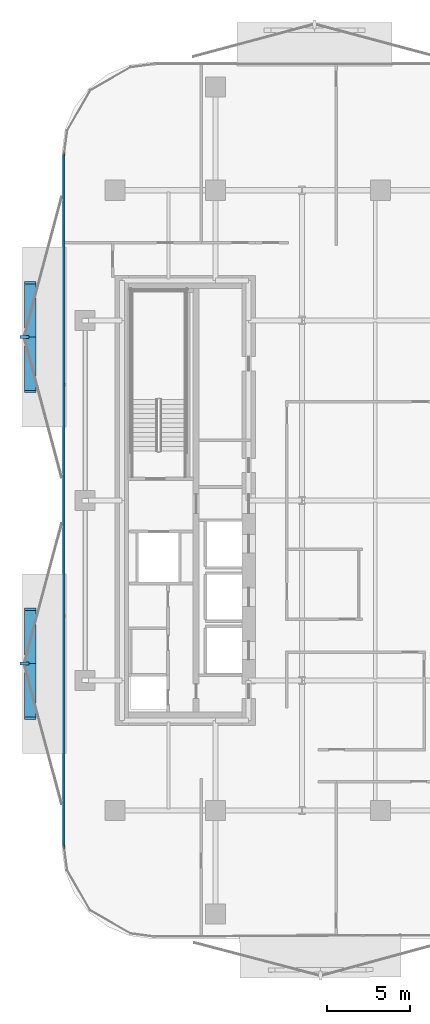
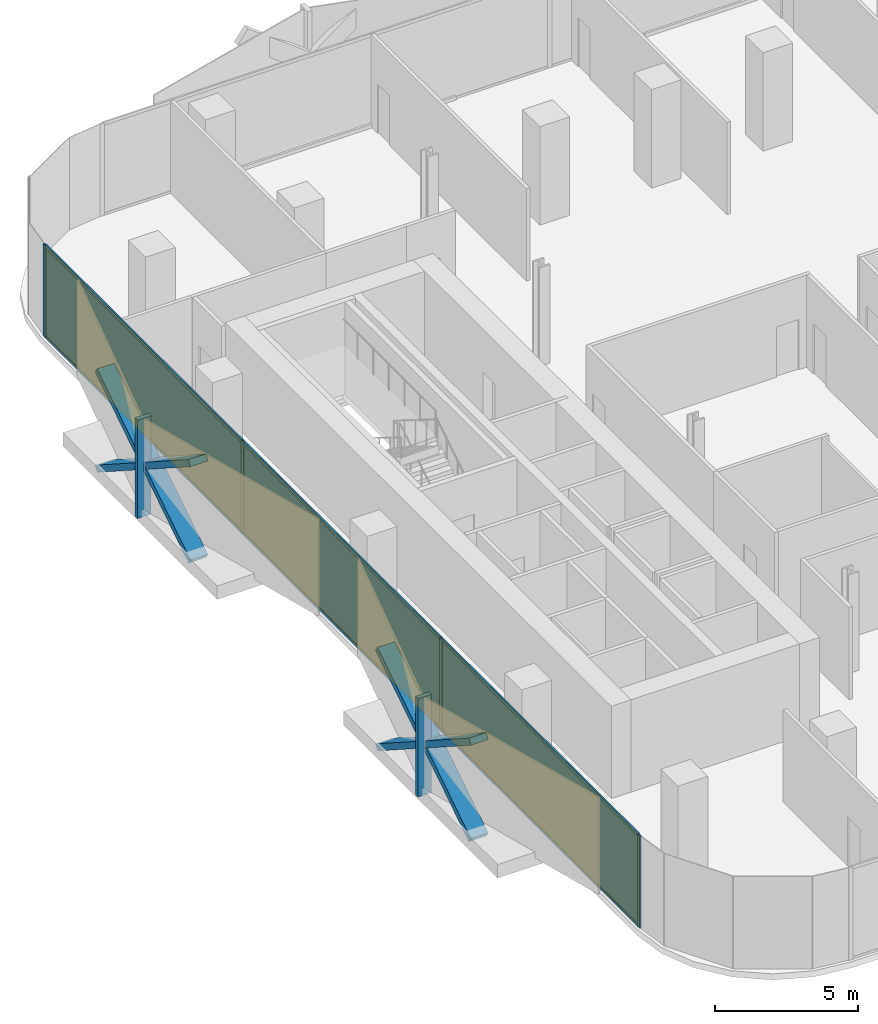
# One storey, part 8 of 15: 16 members, 3 plates, 1 curtain wall.
"""IFC4 building model written with IfcOpenShell, lengths in metres."""

from ifc_helpers import new_model, si_unit, direction, frame, frame_2d, origin, origin_2d, place, context, subcontext, project, spatial, rectangle, extrude, material, layer, layer_set, material_profile, profile_set, type_object, element, aggregate, save


model = new_model("IFC4")

# Units and contexts
model_context = context("Model", 3, precision=1e-05, world=origin(), true_north=direction((0.0, 1.0)))
body_context = subcontext(model_context, "Body", "Model", "MODEL_VIEW")
ifc_project = project(units=[si_unit("LENGTHUNIT", "METRE"), si_unit("AREAUNIT", "SQUARE_METRE"), si_unit("VOLUMEUNIT", "CUBIC_METRE"), si_unit("PLANEANGLEUNIT", "RADIAN"), si_unit("MASSUNIT", "GRAM", prefix="KILO")], contexts=[model_context])

# Member
ifc_material_1 = material(Name="Anodised Bronze Aluminium 6063-T6", Category="aluminium")
ifc_material_profile_1 = material_profile(ifc_material_1, rectangle(XDim=0.260009765625, YDim=0.699951171875, at=origin_2d()))
ifc_profile_set_1 = profile_set([ifc_material_profile_1], Name="Anodised Bronze Aluminium 6063-T6")
member_type_1 = type_object("IfcMemberType", Name="Bronze Diamond Solar-Screen Lattice Rib BDL-700", PredefinedType="MULLION", material=ifc_profile_set_1)
site_placement = place(None, origin())
building_placement = place(site_placement, origin())
storey_placement = place(building_placement, frame((0.0, 0.0, 135.199951171875)))
member_1_placement = place(storey_placement, frame((-25.5, -13.060546875, -0.1298828125), z_axis=(0.0, 0.841066075866, 0.540932395062), x_axis=(0.0, -0.540932395062, 0.841066075866)))
member_1 = element("IfcMember", 1, at=member_1_placement, type_object=member_type_1, Name="L31 Bronze Diamond Solar Screen Lattice Rib 195A", PredefinedType="MULLION", context=body_context, shape_type="SweptSolid", body=[
    extrude(rectangle(XDim=0.260009765625, YDim=0.699951171875, at=origin_2d()), origin(), (0.0, 0.0, 1.0), 7.76416015625),
])

member_2_placement = place(storey_placement, frame((-25.5, -6.5302734375, -0.1298828125), z_axis=(0.0, -0.841066075866, 0.540932395062), x_axis=(0.0, 0.540932395062, 0.841066075866)))
member_2 = element("IfcMember", 2, at=member_2_placement, type_object=member_type_1, Name="L31 Bronze Diamond Solar Screen Lattice Rib 195B", PredefinedType="MULLION", context=body_context, shape_type="SweptSolid", body=[
    extrude(rectangle(XDim=0.260009765625, YDim=0.699951171875, at=origin_2d()), origin(), (0.0, 0.0, 1.0), 7.76416015625),
])

member_3_placement = place(storey_placement, frame((-25.5, 6.5302734375, -0.1298828125), z_axis=(0.0, 0.841066075866, 0.540932395062), x_axis=(0.0, -0.540932395062, 0.841066075866)))
member_3 = element("IfcMember", 3, at=member_3_placement, type_object=member_type_1, Name="L31 Bronze Diamond Solar Screen Lattice Rib 196A", PredefinedType="MULLION", context=body_context, shape_type="SweptSolid", body=[
    extrude(rectangle(XDim=0.260009765625, YDim=0.699951171875, at=origin_2d()), origin(), (0.0, 0.0, 1.0), 7.76416015625),
])

member_4_placement = place(storey_placement, frame((-25.5, 13.060546875, -0.1298828125), z_axis=(0.0, -0.841066075866, 0.540932395062), x_axis=(0.0, 0.540932395062, 0.841066075866)))
member_4 = element("IfcMember", 4, at=member_4_placement, type_object=member_type_1, Name="L31 Bronze Diamond Solar Screen Lattice Rib 196B", PredefinedType="MULLION", context=body_context, shape_type="SweptSolid", body=[
    extrude(rectangle(XDim=0.260009765625, YDim=0.699951171875, at=origin_2d()), origin(), (0.0, 0.0, 1.0), 7.76416015625),
])

ifc_material_2 = material(Name="Anodised Bronze Aluminium 6063-T6", Category="aluminium")
ifc_material_profile_2 = material_profile(ifc_material_2, rectangle(XDim=0.179931640625, YDim=0.5400390625, at=origin_2d()))
ifc_profile_set_2 = profile_set([ifc_material_profile_2], Name="Anodised Bronze Aluminium 6063-T6")
member_type_2 = type_object("IfcMemberType", Name="Bronze Solar-Screen Vertical Fold Fin BSF-540", PredefinedType="MULLION", material=ifc_profile_set_2)
member_5_placement = place(storey_placement, frame((-25.840087890625, -9.79541015625, -0.1298828125), z_axis=(0.0, 0.0, 1.0), x_axis=(0.0, 1.0, 0.0)))
member_5 = element("IfcMember", 5, at=member_5_placement, type_object=member_type_2, Name="L31 Bronze Solar Screen Vertical Fin 195", PredefinedType="MULLION", context=body_context, shape_type="SweptSolid", body=[
    extrude(rectangle(XDim=0.179931640625, YDim=0.5400390625, at=origin_2d()), origin(), (0.0, 0.0, 1.0), 4.199951171875),
])

member_6_placement = place(storey_placement, frame((-25.840087890625, 9.79541015625, -0.1298828125), z_axis=(0.0, 0.0, 1.0), x_axis=(0.0, 1.0, 0.0)))
member_6 = element("IfcMember", 6, at=member_6_placement, type_object=member_type_2, Name="L31 Bronze Solar Screen Vertical Fin 196", PredefinedType="MULLION", context=body_context, shape_type="SweptSolid", body=[
    extrude(rectangle(XDim=0.179931640625, YDim=0.5400390625, at=origin_2d()), origin(), (0.0, 0.0, 1.0), 4.199951171875),
])

ifc_material_3 = material(Name="Anodised Bronze Aluminium 6063-T6", Category="aluminium")
ifc_material_profile_3 = material_profile(ifc_material_3, rectangle(XDim=0.06494140625, YDim=0.175048828125, at=origin_2d()))
ifc_profile_set_3 = profile_set([ifc_material_profile_3], Name="Anodised Bronze Aluminium 6063-T6")
member_type_3 = type_object("IfcMemberType", Name="CW-Z2 Mullion 65x175", PredefinedType="MULLION", material=ifc_profile_set_3)
member_7_placement = place(storey_placement, frame((-23.4599609375, -20.75830078125, 0.0), z_axis=(0.0, 0.0, 1.0), x_axis=(-1.0, 0.0, 0.0)))
member_7 = element("IfcMember", 7, at=member_7_placement, type_object=member_type_3, Name="CW-Z2 mullion 1", PredefinedType="MULLION", context=body_context, shape_type="SweptSolid", body=[
    extrude(rectangle(XDim=0.06494140625, YDim=0.175048828125, at=origin_2d()), origin(), (0.0, 0.0, 1.0), 3.93994140625),
])

member_8_placement = place(storey_placement, frame((-23.4599609375, -6.93017578125, 0.0), z_axis=(0.0, 0.0, 1.0), x_axis=(-1.0, 0.0, 0.0)))
member_8 = element("IfcMember", 8, at=member_8_placement, type_object=member_type_3, Name="CW-Z2 mullion 2", PredefinedType="MULLION", context=body_context, shape_type="SweptSolid", body=[
    extrude(rectangle(XDim=0.06494140625, YDim=0.175048828125, at=origin_2d()), origin(), (0.0, 0.0, 1.0), 3.93994140625),
])

member_9_placement = place(storey_placement, frame((-23.4599609375, 6.93017578125, 0.0), z_axis=(0.0, 0.0, 1.0), x_axis=(-1.0, 0.0, 0.0)))
member_9 = element("IfcMember", 9, at=member_9_placement, type_object=member_type_3, Name="CW-Z2 mullion 3", PredefinedType="MULLION", context=body_context, shape_type="SweptSolid", body=[
    extrude(rectangle(XDim=0.06494140625, YDim=0.175048828125, at=origin_2d()), origin(), (0.0, 0.0, 1.0), 3.93994140625),
])

member_10_placement = place(storey_placement, frame((-23.4599609375, 20.75830078125, 0.0), z_axis=(0.0, 0.0, 1.0), x_axis=(-1.0, 0.0, 0.0)))
member_10 = element("IfcMember", 10, at=member_10_placement, type_object=member_type_3, Name="CW-Z2 mullion 4", PredefinedType="MULLION", context=body_context, shape_type="SweptSolid", body=[
    extrude(rectangle(XDim=0.06494140625, YDim=0.175048828125, at=origin_2d()), origin(), (0.0, 0.0, 1.0), 3.93994140625),
])

ifc_material_4 = material(Name="Anodised Bronze Aluminium 6063-T6", Category="aluminium")
ifc_material_profile_4 = material_profile(ifc_material_4, rectangle(XDim=0.06494140625, YDim=0.135009765625, at=origin_2d()))
ifc_profile_set_4 = profile_set([ifc_material_profile_4], Name="Anodised Bronze Aluminium 6063-T6")
member_type_4 = type_object("IfcMemberType", Name="CW-Z2 Transom 65x135", PredefinedType="USERDEFINED", material=ifc_profile_set_4)
member_11_placement = place(storey_placement, frame((-23.4599609375, -20.725830078125, 0.032470703125), z_axis=(0.0, 1.0, 0.0), x_axis=(-1.0, 0.0, 0.0)))
member_11 = element("IfcMember", 11, at=member_11_placement, type_object=member_type_4, Name="CW-Z2 transom 1.1", ObjectType="TRANSOM", PredefinedType="USERDEFINED", context=body_context, shape_type="SweptSolid", body=[
    extrude(rectangle(XDim=0.06494140625, YDim=0.135009765625, at=origin_2d()), origin(), (0.0, 0.0, 1.0), 13.76318359375),
])

member_12_placement = place(storey_placement, frame((-23.4599609375, -20.725830078125, 3.907470703125), z_axis=(0.0, 1.0, 0.0), x_axis=(-1.0, 0.0, 0.0)))
member_12 = element("IfcMember", 12, at=member_12_placement, type_object=member_type_4, Name="CW-Z2 transom 1.2", ObjectType="TRANSOM", PredefinedType="USERDEFINED", context=body_context, shape_type="SweptSolid", body=[
    extrude(rectangle(XDim=0.06494140625, YDim=0.135009765625, at=origin_2d()), origin(), (0.0, 0.0, 1.0), 13.76318359375),
])

member_13_placement = place(storey_placement, frame((-23.4599609375, -6.897705078125, 0.032470703125), z_axis=(0.0, 1.0, 0.0), x_axis=(-1.0, 0.0, 0.0)))
member_13 = element("IfcMember", 13, at=member_13_placement, type_object=member_type_4, Name="CW-Z2 transom 2.1", ObjectType="TRANSOM", PredefinedType="USERDEFINED", context=body_context, shape_type="SweptSolid", body=[
    extrude(rectangle(XDim=0.06494140625, YDim=0.135009765625, at=origin_2d()), origin(), (0.0, 0.0, 1.0), 13.79541015625),
])

member_14_placement = place(storey_placement, frame((-23.4599609375, -6.897705078125, 3.907470703125), z_axis=(0.0, 1.0, 0.0), x_axis=(-1.0, 0.0, 0.0)))
member_14 = element("IfcMember", 14, at=member_14_placement, type_object=member_type_4, Name="CW-Z2 transom 2.2", ObjectType="TRANSOM", PredefinedType="USERDEFINED", context=body_context, shape_type="SweptSolid", body=[
    extrude(rectangle(XDim=0.06494140625, YDim=0.135009765625, at=origin_2d()), origin(), (0.0, 0.0, 1.0), 13.79541015625),
])

member_15_placement = place(storey_placement, frame((-23.4599609375, 6.962646484375, 0.032470703125), z_axis=(0.0, 1.0, 0.0), x_axis=(-1.0, 0.0, 0.0)))
member_15 = element("IfcMember", 15, at=member_15_placement, type_object=member_type_4, Name="CW-Z2 transom 3.1", ObjectType="TRANSOM", PredefinedType="USERDEFINED", context=body_context, shape_type="SweptSolid", body=[
    extrude(rectangle(XDim=0.06494140625, YDim=0.135009765625, at=origin_2d()), origin(), (0.0, 0.0, 1.0), 13.76318359375),
])

member_16_placement = place(storey_placement, frame((-23.4599609375, 6.962646484375, 3.907470703125), z_axis=(0.0, 1.0, 0.0), x_axis=(-1.0, 0.0, 0.0)))
member_16 = element("IfcMember", 16, at=member_16_placement, type_object=member_type_4, Name="CW-Z2 transom 3.2", ObjectType="TRANSOM", PredefinedType="USERDEFINED", context=body_context, shape_type="SweptSolid", body=[
    extrude(rectangle(XDim=0.06494140625, YDim=0.135009765625, at=origin_2d()), origin(), (0.0, 0.0, 1.0), 13.76318359375),
])

# Plate
ifc_material_5 = material(Name="Low-E Solar Control Laminated Glass", Category="glass")
ifc_layer_1 = layer(ifc_material_5, 0.028076171875, Name="Low-E Solar Control Laminated Glass")
ifc_layer_set_1 = layer_set([ifc_layer_1], Name="Low-E Solar Control Laminated Glass")
plate_type = type_object("IfcPlateType", Name="CW-Z2 Low-E Double Glazed Panel 28mm", PredefinedType="CURTAIN_PANEL", material=ifc_layer_set_1)
plate_1_placement = place(storey_placement, frame((-23.4599609375, -13.84423828125, 0.06494140625), z_axis=(0.0, 0.0, 1.0), x_axis=(0.0, 1.0, 0.0)))
plate_1 = element("IfcPlate", 17, at=plate_1_placement, type_object=plate_type, Name="CW-Z2 panel 1.1", PredefinedType="CURTAIN_PANEL", context=body_context, shape_type="SweptSolid", body=[
    extrude(rectangle(XDim=13.762939453125, YDim=0.028076171875, at=origin_2d()), origin(), (0.0, 0.0, 1.0), 3.81005859375),
])

plate_2_placement = place(storey_placement, frame((-23.4599609375, 0.0, 0.06494140625), z_axis=(0.0, 0.0, 1.0), x_axis=(0.0, 1.0, 0.0)))
plate_2 = element("IfcPlate", 18, at=plate_2_placement, type_object=plate_type, Name="CW-Z2 panel 2.1", PredefinedType="CURTAIN_PANEL", context=body_context, shape_type="SweptSolid", body=[
    extrude(rectangle(XDim=13.795654296875, YDim=0.028076171875, at=origin_2d()), origin(), (0.0, 0.0, 1.0), 3.81005859375),
])

plate_3_placement = place(storey_placement, frame((-23.4599609375, 13.84423828125, 0.06494140625), z_axis=(0.0, 0.0, 1.0), x_axis=(0.0, 1.0, 0.0)))
plate_3 = element("IfcPlate", 19, at=plate_3_placement, type_object=plate_type, Name="CW-Z2 panel 3.1", PredefinedType="CURTAIN_PANEL", context=body_context, shape_type="SweptSolid", body=[
    extrude(rectangle(XDim=13.762939453125, YDim=0.028076171875, at=origin_2d()), origin(), (0.0, 0.0, 1.0), 3.81005859375),
])

# Site, building, storey
site = spatial("IfcSite", under=ifc_project, at=site_placement, CompositionType="ELEMENT")
building = spatial("IfcBuilding", under=site, at=building_placement, Name="Khairoan Windgate Tower", CompositionType="ELEMENT")
storey = spatial("IfcBuildingStorey", under=building, at=storey_placement, Name="L31", CompositionType="ELEMENT", Elevation=135.199951171875)

# Curtain wall
ifc_material_6 = material(Name="Anodised Bronze Aluminium 6063-T6", Category="aluminium")
ifc_layer_2 = layer(ifc_material_6, 0.175048828125, Name="Anodised Bronze Aluminium 6063-T6")
ifc_layer_set_2 = layer_set([ifc_layer_2], Name="Anodised Bronze Aluminium 6063-T6")
curtain_wall_type = type_object("IfcCurtainWallType", Name="Mid-Rise Office Unitised Curtain Wall CW-Z2", PredefinedType="NOTDEFINED", material=ifc_layer_set_2)
curtain_wall_placement = place(storey_placement, frame((-23.4599609375, -20.790771484375, 0.0), z_axis=(0.0, 0.0, 1.0), x_axis=(0.0, 1.0, 0.0)))
curtain_wall = element("IfcCurtainWall", 20, at=curtain_wall_placement, inside=storey, type_object=curtain_wall_type, Name="L31 Unitised Curtain Wall 6", PredefinedType="NOTDEFINED", context=body_context, shape_type="SweptSolid", body=[
    extrude(rectangle(XDim=41.58154296875, YDim=0.010009765625, at=frame_2d((20.790771484375, 0.0))), origin(), (0.0, 0.0, 1.0), 3.93994140625),
])

aggregate(curtain_wall, [member_7, member_8, member_9, member_10, member_11, member_12, plate_1, member_13, member_14, plate_2, member_15, member_16, plate_3, member_1, member_2, member_5, member_3, member_4, member_6])

save(model, "model.ifc")
